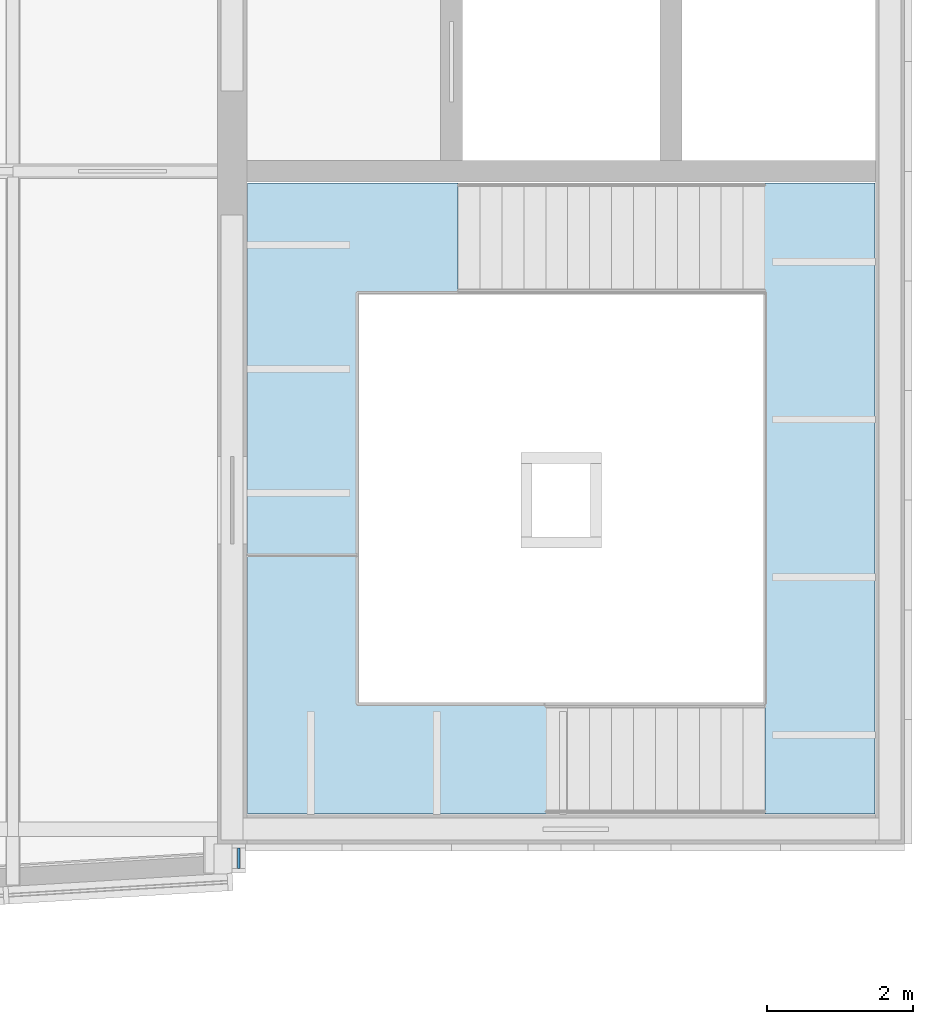
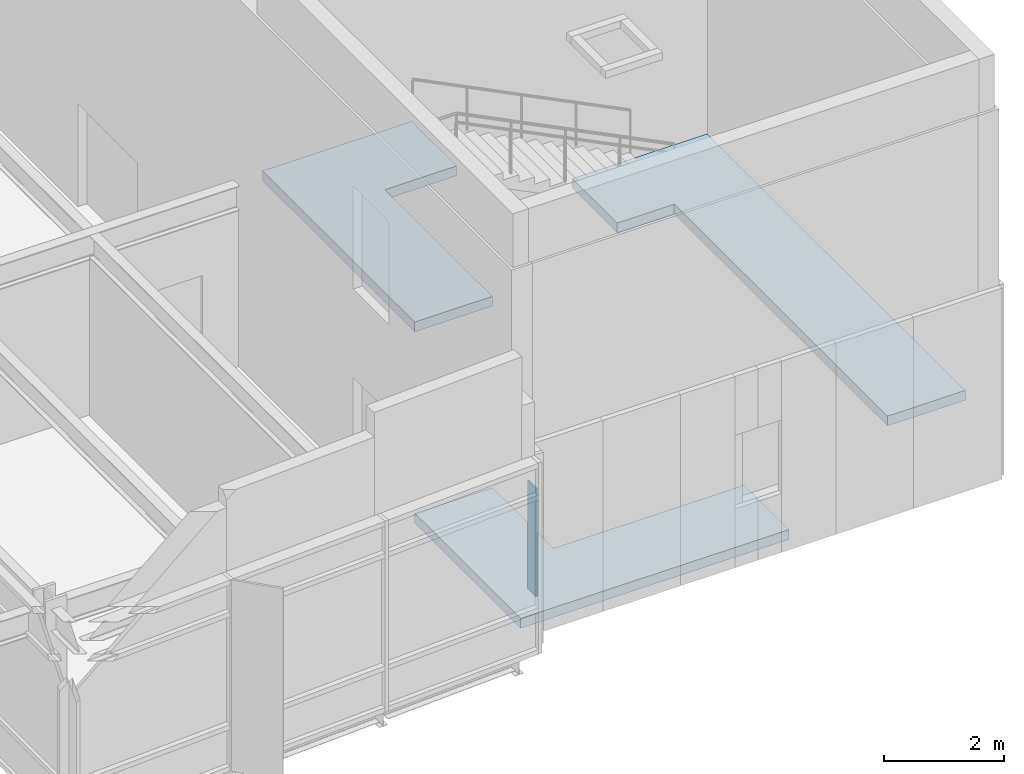
# One storey, part 13 of 23: 3 slabs, 1 plate, 2 elements without a shape of their own.
"""IFC4 building model written with IfcOpenShell, lengths in metres."""

from ifc_helpers import new_model, si_unit, direction, frame, origin, origin_2d, place, context, subcontext, project, spatial, polyline, rectangle, outline, extrude, material, layer, layer_set, type_object, element, aggregate, save


model = new_model("IFC4")

# Units and contexts
model_context = context("Model", 3, precision=1e-05, world=origin(), true_north=direction((0.0, 1.0)))
body_context = subcontext(model_context, "Body", "Model", "MODEL_VIEW")
ifc_project = project(units=[si_unit("LENGTHUNIT", "METRE"), si_unit("AREAUNIT", "SQUARE_METRE"), si_unit("VOLUMEUNIT", "CUBIC_METRE"), si_unit("PLANEANGLEUNIT", "RADIAN"), si_unit("MASSUNIT", "GRAM", prefix="KILO")], contexts=[model_context])

# Site, building, storey
site_placement = place(None, origin())
site = spatial("IfcSite", under=ifc_project, at=site_placement, CompositionType="ELEMENT")
building_placement = place(site_placement, origin())
building = spatial("IfcBuilding", under=site, at=building_placement, Name="Azimuth Sports and Learning Centre", CompositionType="ELEMENT")
storey_placement = place(building_placement, frame((0.0, 0.0, 75.300048828125)))
storey = spatial("IfcBuildingStorey", under=building, at=storey_placement, Name="L17", CompositionType="ELEMENT", Elevation=75.300048828125)

# Stair, slabs
ifc_material_1 = material(Name="Concrete C32/40", Category="concrete")
stair_type = type_object("IfcStairType", Name="Square-well stair core 3900 storey", PredefinedType="THREE_QUARTER_TURN_STAIR", material=ifc_material_1)
stair_placement = place(storey_placement, origin())
stair = element("IfcStair", 1, at=stair_placement, inside=storey, type_object=stair_type, Name="Stair E1 L17-Roof", PredefinedType="THREE_QUARTER_TURN_STAIR")
ifc_material_2 = material(Name="Concrete C32/40", Category="concrete")
ifc_layer_1 = layer(ifc_material_2, 0.199951171875)
ifc_layer_set_1 = layer_set([ifc_layer_1], Name="Concrete C32/40")
slab_type = type_object("IfcSlabType", Name="Concrete stair landing", PredefinedType="LANDING", material=ifc_layer_set_1)
slab_1_placement = place(storey_placement, frame((0.0, 0.0, -0.199951171875)))
slab_1 = element("IfcSlab", 2, at=slab_1_placement, type_object=slab_type, Name="Stair E1 L17 landing 1", PredefinedType="LANDING", context=body_context, shape_type="SweptSolid", body=[
    extrude(outline(polyline([(113.389892578125, 91.7099609375), (109.7099609375, 91.7099609375), (109.7099609375, 93.75), (108.2099609375, 93.75), (108.2099609375, 90.2099609375), (113.389892578125, 90.2099609375), (113.389892578125, 91.7099609375)])), origin(), (0.0, 0.0, 1.0), 0.199951171875),
])
slab_2_placement = place(storey_placement, frame((0.0, 0.0, 1.449951171875)))
slab_2 = element("IfcSlab", 3, at=slab_2_placement, type_object=slab_type, Name="Stair E1 L17 landing 2", PredefinedType="LANDING", context=body_context, shape_type="SweptSolid", body=[
    extrude(outline(polyline([(115.2900390625, 91.7099609375), (115.289306640625, 91.7099609375), (115.289306640625, 90.2099609375), (116.7900390625, 90.2099609375), (116.7900390625, 98.840087890625), (114.18994140625, 98.840087890625), (114.18994140625, 97.340087890625), (115.2900390625, 97.340087890625), (115.2900390625, 91.7099609375)])), origin(), (0.0, 0.0, 1.0), 0.199951171875),
])
slab_3_placement = place(storey_placement, frame((0.0, 0.0, 3.699951171875)))
slab_3 = element("IfcSlab", 4, at=slab_3_placement, type_object=slab_type, Name="Stair E1 L17 landing 3", PredefinedType="LANDING", context=body_context, shape_type="SweptSolid", body=[
    extrude(outline(polyline([(109.7099609375, 97.340087890625), (111.0908203125, 97.340087890625), (111.0908203125, 98.840087890625), (108.2099609375, 98.840087890625), (108.2099609375, 93.75), (109.7099609375, 93.75), (109.7099609375, 97.340087890625)])), origin(), (0.0, 0.0, 1.0), 0.199951171875),
])
aggregate(stair, [slab_1, slab_2, slab_3])

# Curtain wall, plate
ifc_material_3 = material(Name="Aluminium and glass", Category="aluminium")
curtain_wall_type = type_object("IfcCurtainWallType", Name="Curtain wall tower return 180", PredefinedType="NOTDEFINED", material=ifc_material_3)
curtain_wall_placement = place(storey_placement, origin())
curtain_wall = element("IfcCurtainWall", 5, at=curtain_wall_placement, inside=storey, type_object=curtain_wall_type, Name="Curtain wall CW17-007", PredefinedType="NOTDEFINED")
ifc_material_4 = material(Name="Glass", Category="glass")
ifc_layer_2 = layer(ifc_material_4, 0.031982421875)
ifc_layer_set_2 = layer_set([ifc_layer_2], Name="Glass")
plate_type = type_object("IfcPlateType", Name="Vision glass 32 mm", PredefinedType="CURTAIN_PANEL", material=ifc_layer_set_2)
plate_placement = place(storey_placement, frame((108.090087890625, 89.60009765625, 0.9501953125), z_axis=(0.0, 0.0, 1.0), x_axis=(0.0, 1.0, 0.0)))
plate = element("IfcPlate", 6, at=plate_placement, type_object=plate_type, Name="CW17-007 panel 1.2", PredefinedType="CURTAIN_PANEL", context=body_context, shape_type="SweptSolid", body=[
    extrude(rectangle(XDim=0.280029296875, YDim=0.031982421875, at=origin_2d()), origin(), (0.0, 0.0, 1.0), 2.199951171875),
])
aggregate(curtain_wall, [plate])

save(model, "model.ifc")
